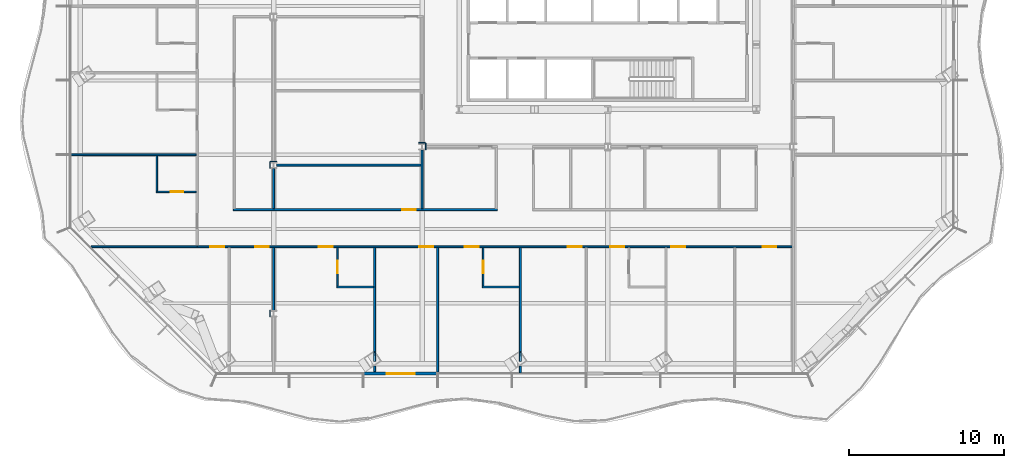
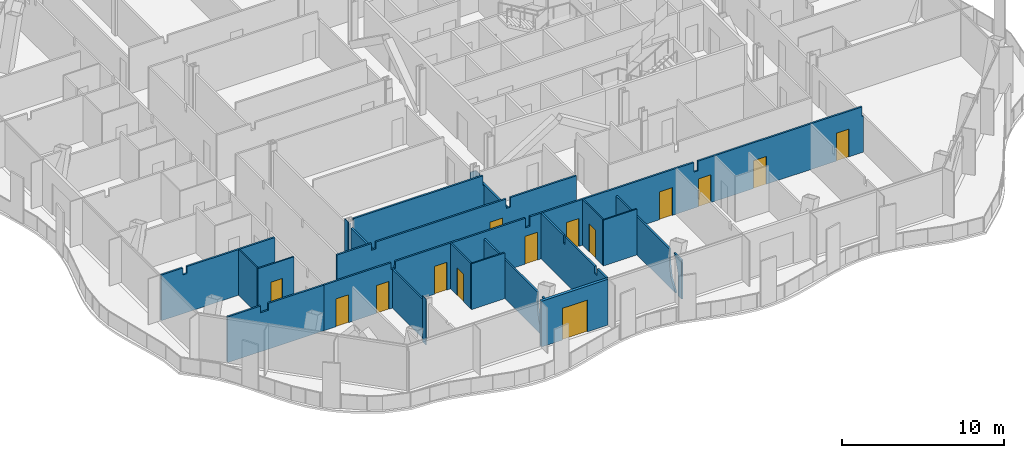
# One storey, part 6 of 17: 25 walls, 14 doors, 14 openings.
"""IFC4 building model written with IfcOpenShell, lengths in metres."""

from ifc_helpers import new_model, si_unit, direction, frame, frame_2d, origin, place, context, subcontext, project, spatial, polyline, rectangle, outline, extrude, material, layer, layer_set, type_object, element, fill, save


model = new_model("IFC4")

# Units and contexts
model_context = context("Model", 3, precision=1e-05, world=origin(), true_north=direction((0.0, 1.0)))
body_context = subcontext(model_context, "Body", "Model", "MODEL_VIEW")
ifc_project = project(units=[si_unit("LENGTHUNIT", "METRE"), si_unit("AREAUNIT", "SQUARE_METRE"), si_unit("VOLUMEUNIT", "CUBIC_METRE"), si_unit("PLANEANGLEUNIT", "RADIAN"), si_unit("MASSUNIT", "GRAM", prefix="KILO")], contexts=[model_context])

# Site, building, storey
site_placement = place(None, origin())
site = spatial("IfcSite", under=ifc_project, at=site_placement, CompositionType="ELEMENT")
building_placement = place(site_placement, origin())
building = spatial("IfcBuilding", under=site, at=building_placement, Name="Cairn Pilgrim Tower", CompositionType="ELEMENT")
storey_placement = place(building_placement, frame((0.0, 0.0, 94.199951171875)))
storey = spatial("IfcBuildingStorey", under=building, at=storey_placement, Name="L22", CompositionType="ELEMENT", Elevation=94.199951171875)

# Wall, opening, door
ifc_material_1 = material(Name="Bronze anodised aluminium insulated sandwich panel with mineral wool fill", Category="aluminium")
ifc_layer_1 = layer(ifc_material_1, 0.199951171875)
ifc_layer_set_1 = layer_set([ifc_layer_1], Name="BRONZE INFILL FRAME WALL 200")
wall_type_1 = type_object("IfcWallType", Name="BRONZE INFILL FRAME WALL 200", PredefinedType="NOTDEFINED", material=ifc_layer_set_1)
wall_1_placement = place(storey_placement, frame((-8.5615234375, -23.07763671875, 0.0), z_axis=(0.0, 0.0, 1.0), x_axis=(1.0, 0.0, 0.0)))
wall_1 = element("IfcWall", 1, at=wall_1_placement, inside=storey, type_object=wall_type_1, Name="Bronze infill frame wall IW-S3", PredefinedType="NOTDEFINED", context=body_context, shape_type="SweptSolid", body=[
    extrude(rectangle(XDim=4.739990234375, YDim=0.199951171875, at=frame_2d((2.3701171875, 0.0))), origin(), (0.0, 0.0, 1.0), 3.449951171875),
])
opening_1_placement = place(wall_1_placement, frame((1.4697265625, 0.0, 0.0)))
opening_1 = element("IfcOpeningElement", 2, at=opening_1_placement, cuts=wall_1, Name="Opening 2204B", PredefinedType="OPENING", context=body_context, shape_type="SweptSolid", body=[
    extrude(rectangle(XDim=1.800048828125, YDim=2.39990234375, at=frame_2d((0.89990234375, 1.199951171875))), frame((0.0, 0.10986328125, 0.0), z_axis=(0.0, -1.0, 0.0), x_axis=(1.0, 0.0, 0.0)), (0.0, 0.0, 1.0), 0.219970703125),
])
ifc_material_2 = material(Name="Bronze anodised aluminium frame with tinted low-E glass", Category="aluminium")
door_type_1 = type_object("IfcDoorType", Name="BALCONY SLIDING DOOR 1800x2400", OperationType="DOUBLE_DOOR_SLIDING", PredefinedType="DOOR", material=ifc_material_2)
door_1_placement = place(opening_1_placement, origin())
door_1 = element("IfcDoor", 3, at=door_1_placement, inside=storey, type_object=door_type_1, Name="Balcony sliding door 2204B", OperationType="SINGLE_SWING_LEFT", OverallHeight=2.39990234375, OverallWidth=1.800048828125, PredefinedType="DOOR", context=body_context, shape_type="SweptSolid", body=[
    extrude(rectangle(XDim=1.800048828125, YDim=2.39990234375, at=frame_2d((0.89990234375, 1.199951171875))), frame((0.0, 0.02490234375, 0.0), z_axis=(0.0, -1.0, 0.0), x_axis=(1.0, 0.0, 0.0)), (0.0, 0.0, 1.0), 0.050048828125),
])
fill(opening_1, door_1)

# Walls
ifc_material_3 = material(Name="Gypsum partition")
ifc_layer_2 = layer(ifc_material_3, 0.10009765625)
ifc_layer_set_2 = layer_set([ifc_layer_2], Name="PARTITION 100 DRYWALL")
wall_type_2 = type_object("IfcWallType", Name="PARTITION 100 DRYWALL", PredefinedType="PARTITIONING", material=ifc_layer_set_2)
wall_2_placement = place(storey_placement, frame((-10.31591796875, -17.47802734375, 0.0), z_axis=(0.0, 0.0, 1.0), x_axis=(1.0, 0.0, 0.0)))
element("IfcWall", 4, at=wall_2_placement, inside=storey, type_object=wall_type_2, Name="PARTITION W015", PredefinedType="PARTITIONING", context=body_context, shape_type="SweptSolid", body=[
    extrude(rectangle(XDim=2.387451171875, YDim=0.10009765625, at=frame_2d((1.19384765625, 0.0))), origin(), (0.0, 0.0, 1.0), 3.449951171875),
])
wall_3_placement = place(storey_placement, frame((-0.902099609375, -17.47802734375, 0.0), z_axis=(0.0, 0.0, 1.0), x_axis=(1.0, 0.0, 0.0)))
element("IfcWall", 5, at=wall_3_placement, inside=storey, type_object=wall_type_2, Name="PARTITION W016", PredefinedType="PARTITIONING", context=body_context, shape_type="SweptSolid", body=[
    extrude(rectangle(XDim=2.3876953125, YDim=0.10009765625, at=frame_2d((1.19384765625, 0.0))), origin(), (0.0, 0.0, 1.0), 3.449951171875),
])

# Wall, opening, door
wall_4_placement = place(storey_placement, frame((-10.26611328125, -17.427978515625, 0.0), z_axis=(0.0, 0.0, 1.0), x_axis=(0.0, 1.0, 0.0)))
wall_4 = element("IfcWall", 6, at=wall_4_placement, inside=storey, type_object=wall_type_2, Name="PARTITION W018", PredefinedType="PARTITIONING", context=body_context, shape_type="SweptSolid", body=[
    extrude(rectangle(XDim=2.487548828125, YDim=0.10009765625, at=frame_2d((1.24365234375, 0.0))), origin(), (0.0, 0.0, 1.0), 3.449951171875),
])
opening_2_placement = place(wall_4_placement, frame((0.85009765625, 0.0, 0.0)))
opening_2 = element("IfcOpeningElement", 7, at=opening_2_placement, cuts=wall_4, Name="Opening 2203E", PredefinedType="OPENING", context=body_context, shape_type="SweptSolid", body=[
    extrude(rectangle(XDim=0.800048828125, YDim=2.10009765625, at=frame_2d((0.39990234375, 1.050048828125))), frame((0.0, 0.06005859375, 0.0), z_axis=(0.0, -1.0, 0.0), x_axis=(1.0, 0.0, 0.0)), (0.0, 0.0, 1.0), 0.1201171875),
])
ifc_material_4 = material(Name="Timber door leaf", Category="wood")
door_type_2 = type_object("IfcDoorType", Name="DOOR 800x2100", OperationType="NOTDEFINED", PredefinedType="DOOR", material=ifc_material_4)
door_2_placement = place(opening_2_placement, frame((0.800048828125, 0.0, 0.0), z_axis=(0.0, 0.0, 1.0), x_axis=(-1.0, 0.0, 0.0)))
door_2 = element("IfcDoor", 8, at=door_2_placement, inside=storey, type_object=door_type_2, Name="DOOR 2203E", OperationType="SINGLE_SWING_LEFT", OverallHeight=2.10009765625, OverallWidth=0.800048828125, PredefinedType="DOOR", context=body_context, shape_type="SweptSolid", body=[
    extrude(rectangle(XDim=0.800048828125, YDim=2.10009765625, at=frame_2d((0.39990234375, 1.050048828125))), frame((0.0, 0.02490234375, 0.0), z_axis=(0.0, -1.0, 0.0), x_axis=(1.0, 0.0, 0.0)), (0.0, 0.0, 1.0), 0.050048828125),
])
fill(opening_2, door_2)

wall_5_placement = place(storey_placement, frame((-0.85205078125, -17.427978515625, 0.0), z_axis=(0.0, 0.0, 1.0), x_axis=(0.0, 1.0, 0.0)))
wall_5 = element("IfcWall", 9, at=wall_5_placement, inside=storey, type_object=wall_type_2, Name="PARTITION W019", PredefinedType="PARTITIONING", context=body_context, shape_type="SweptSolid", body=[
    extrude(rectangle(XDim=2.487548828125, YDim=0.10009765625, at=frame_2d((1.24365234375, 0.0))), origin(), (0.0, 0.0, 1.0), 3.449951171875),
])
opening_3_placement = place(wall_5_placement, frame((0.85009765625, 0.0, 0.0)))
opening_3 = element("IfcOpeningElement", 10, at=opening_3_placement, cuts=wall_5, Name="Opening 2205E", PredefinedType="OPENING", context=body_context, shape_type="SweptSolid", body=[
    extrude(rectangle(XDim=0.800048828125, YDim=2.10009765625, at=frame_2d((0.39990234375, 1.050048828125))), frame((0.0, 0.06005859375, 0.0), z_axis=(0.0, -1.0, 0.0), x_axis=(1.0, 0.0, 0.0)), (0.0, 0.0, 1.0), 0.1201171875),
])
door_3_placement = place(opening_3_placement, frame((0.800048828125, 0.0, 0.0), z_axis=(0.0, 0.0, 1.0), x_axis=(-1.0, 0.0, 0.0)))
door_3 = element("IfcDoor", 11, at=door_3_placement, inside=storey, type_object=door_type_2, Name="DOOR 2205E", OperationType="SINGLE_SWING_RIGHT", OverallHeight=2.10009765625, OverallWidth=0.800048828125, PredefinedType="DOOR", context=body_context, shape_type="SweptSolid", body=[
    extrude(rectangle(XDim=0.800048828125, YDim=2.10009765625, at=frame_2d((0.39990234375, 1.050048828125))), frame((0.0, 0.02490234375, 0.0), z_axis=(0.0, -1.0, 0.0), x_axis=(1.0, 0.0, 0.0)), (0.0, 0.0, 1.0), 0.050048828125),
])
fill(opening_3, door_3)

wall_6_placement = place(storey_placement, frame((-21.991943359375, -11.327880859375, 0.0), z_axis=(0.0, 0.0, 1.0), x_axis=(1.0, 0.0, 0.0)))
wall_6 = element("IfcWall", 12, at=wall_6_placement, inside=storey, type_object=wall_type_2, Name="PARTITION W036", PredefinedType="PARTITIONING", context=body_context, shape_type="SweptSolid", body=[
    extrude(rectangle(XDim=2.58740234375, YDim=0.10009765625, at=frame_2d((1.293701171875, 0.0))), origin(), (0.0, 0.0, 1.0), 3.449951171875),
])
opening_4_placement = place(wall_6_placement, frame((0.949951171875, 0.0, 0.0)))
opening_4 = element("IfcOpeningElement", 13, at=opening_4_placement, cuts=wall_6, Name="Opening 2210E", PredefinedType="OPENING", context=body_context, shape_type="SweptSolid", body=[
    extrude(rectangle(XDim=0.800048828125, YDim=2.10009765625, at=frame_2d((0.39990234375, 1.050048828125))), frame((0.0, 0.06005859375, 0.0), z_axis=(0.0, -1.0, 0.0), x_axis=(1.0, 0.0, 0.0)), (0.0, 0.0, 1.0), 0.1201171875),
])
door_4_placement = place(opening_4_placement, origin())
door_4 = element("IfcDoor", 14, at=door_4_placement, inside=storey, type_object=door_type_2, Name="DOOR 2210E", OperationType="SINGLE_SWING_LEFT", OverallHeight=2.10009765625, OverallWidth=0.800048828125, PredefinedType="DOOR", context=body_context, shape_type="SweptSolid", body=[
    extrude(rectangle(XDim=0.800048828125, YDim=2.10009765625, at=frame_2d((0.39990234375, 1.050048828125))), frame((0.0, 0.02490234375, 0.0), z_axis=(0.0, -1.0, 0.0), x_axis=(1.0, 0.0, 0.0)), (0.0, 0.0, 1.0), 0.050048828125),
])
fill(opening_4, door_4)

# Walls
wall_7_placement = place(storey_placement, frame((-21.94189453125, -11.278076171875, 0.0), z_axis=(0.0, 0.0, 1.0), x_axis=(0.0, 1.0, 0.0)))
element("IfcWall", 15, at=wall_7_placement, inside=storey, type_object=wall_type_2, Name="PARTITION W037", PredefinedType="PARTITIONING", context=body_context, shape_type="SweptSolid", body=[
    extrude(rectangle(XDim=2.28759765625, YDim=0.10009765625, at=frame_2d((1.143798828125, 0.0))), origin(), (0.0, 0.0, 1.0), 3.449951171875),
])
ifc_layer_3 = layer(ifc_material_3, 0.125)
ifc_layer_set_3 = layer_set([ifc_layer_3], Name="PARTITION 125 DRYWALL EI 60")
wall_type_3 = type_object("IfcWallType", Name="PARTITION 125 DRYWALL EI 60", PredefinedType="PARTITIONING", material=ifc_layer_set_3)
wall_8_placement = place(storey_placement, frame((-3.7919921875, -22.977783203125, 0.0), z_axis=(0.0, 0.0, 1.0), x_axis=(0.0, 1.0, 0.0)))
element("IfcWall", 16, at=wall_8_placement, inside=storey, type_object=wall_type_3, Name="PARTITION W003", PredefinedType="PARTITIONING", context=body_context, shape_type="SweptSolid", body=[
    extrude(outline(polyline([(0.0, 0.0), (8.037353515625, 0.0), (8.037109375, 3.449951171875), (5.274169921875, 3.449951171875), (5.272216796875, 2.880126953125), (5.064208984375, 2.880126953125), (5.06201171875, 3.449951171875), (1.419189453125, 3.449951171875), (1.4169921875, 2.929931640625), (1.119140625, 2.929931640625), (1.1171875, 3.449951171875), (0.0, 3.449951171875), (0.0, 0.0)])), frame((0.0, 0.0625, 0.0), z_axis=(0.0, -1.0, 0.0), x_axis=(1.0, 0.0, 0.0)), (0.0, 0.0, 1.0), 0.125),
])
wall_9_placement = place(storey_placement, frame((1.548095703125, -23.03076171875, 0.0), z_axis=(0.0, 0.0, 1.0), x_axis=(0.0, 1.0, 0.0)))
element("IfcWall", 17, at=wall_9_placement, inside=storey, type_object=wall_type_3, Name="PARTITION W004", PredefinedType="PARTITIONING", context=body_context, shape_type="SweptSolid", body=[
    extrude(outline(polyline([(0.0, 0.0), (0.4404296875, 0.0), (0.4404296875, 0.862548828125), (0.4404296875, 1.72509765625), (0.710693359375, 2.587646484375), (0.93310546875, 2.929931640625), (0.0, 2.929931640625), (0.0, 2.587646484375), (0.0, 1.72509765625), (0.0, 0.862548828125), (0.0, 0.0)])), frame((0.0, 0.0625, 0.0), z_axis=(0.0, -1.0, 0.0), x_axis=(1.0, 0.0, 0.0)), (0.0, 0.0, 1.0), 0.125),
])
wall_10_placement = place(storey_placement, frame((-7.865966796875, -22.94775390625, 0.0), z_axis=(0.0, 0.0, 1.0), x_axis=(0.0, 1.0, 0.0)))
element("IfcWall", 18, at=wall_10_placement, inside=storey, type_object=wall_type_3, Name="PARTITION W009", PredefinedType="PARTITIONING", context=body_context, shape_type="SweptSolid", body=[
    extrude(outline(polyline([(0.0, 0.0), (0.357177734375, 0.0), (0.357177734375, 0.862548828125), (0.357177734375, 1.72509765625), (0.628173828125, 2.587646484375), (0.8505859375, 2.929931640625), (0.0, 2.929931640625), (0.0, 2.587646484375), (0.0, 1.72509765625), (0.0, 0.862548828125), (0.0, 0.0)])), frame((0.0, 0.0625, 0.0), z_axis=(0.0, -1.0, 0.0), x_axis=(1.0, 0.0, 0.0)), (0.0, 0.0, 1.0), 0.125),
])
wall_11_placement = place(storey_placement, frame((-7.865966796875, -22.27880859375, 0.0), z_axis=(0.0, 0.0, 1.0), x_axis=(0.0, 1.0, 0.0)))
element("IfcWall", 19, at=wall_11_placement, inside=storey, type_object=wall_type_3, Name="PARTITION W011", PredefinedType="PARTITIONING", context=body_context, shape_type="SweptSolid", body=[
    extrude(outline(polyline([(0.0, 0.0), (7.33837890625, 0.0), (7.33837890625, 0.862548828125), (7.33837890625, 1.72509765625), (7.33837890625, 2.587646484375), (7.33837890625, 2.929931640625), (0.733154296875, 2.929931640625), (0.733154296875, 2.587646484375), (0.733154296875, 1.72509765625), (0.56005859375, 0.862548828125), (0.0, 0.0)])), frame((0.0, 0.0625, 0.0), z_axis=(0.0, -1.0, 0.0), x_axis=(1.0, 0.0, 0.0)), (0.0, 0.0, 1.0), 0.125),
])
wall_12_placement = place(storey_placement, frame((1.548095703125, -22.279541015625, 0.0), z_axis=(0.0, 0.0, 1.0), x_axis=(0.0, 1.0, 0.0)))
element("IfcWall", 20, at=wall_12_placement, inside=storey, type_object=wall_type_3, Name="PARTITION W012", PredefinedType="PARTITIONING", context=body_context, shape_type="SweptSolid", body=[
    extrude(outline(polyline([(0.0, 0.0), (7.339111328125, 0.0), (7.339111328125, 0.862548828125), (7.339111328125, 1.72509765625), (7.339111328125, 2.587646484375), (7.339111328125, 2.880126953125), (0.73388671875, 2.880126953125), (0.73388671875, 2.587646484375), (0.73388671875, 1.72509765625), (0.56005859375, 0.862548828125), (0.0, 0.0)])), frame((0.0, 0.0625, 0.0), z_axis=(0.0, -1.0, 0.0), x_axis=(1.0, 0.0, 0.0)), (0.0, 0.0, 1.0), 0.125),
])
wall_13_placement = place(storey_placement, frame((-14.39990234375, -18.987548828125, 0.0), z_axis=(0.0, 0.0, 1.0), x_axis=(0.0, 1.0, 0.0)))
element("IfcWall", 21, at=wall_13_placement, inside=storey, type_object=wall_type_3, Name="PARTITION W014", PredefinedType="PARTITIONING", context=body_context, shape_type="SweptSolid", body=[
    extrude(rectangle(XDim=4.047119140625, YDim=0.125, at=frame_2d((2.0234375, 0.0))), origin(), (0.0, 0.0, 1.0), 2.929931640625),
])
wall_14_placement = place(storey_placement, frame((-26.1982421875, -14.8779296875, 0.0), z_axis=(0.0, 0.0, 1.0), x_axis=(1.0, 0.0, 0.0)))
element("IfcWall", 22, at=wall_14_placement, inside=storey, type_object=wall_type_3, Name="PARTITION W021", PredefinedType="PARTITIONING", context=body_context, shape_type="SweptSolid", body=[
    extrude(outline(polyline([(0.0, 0.0), (6.856201171875, 0.0), (6.856201171875, 3.449951171875), (2.902099609375, 3.449951171875), (2.900146484375, 2.929931640625), (2.352783203125, 2.929931640625), (2.350830078125, 3.449951171875), (0.0, 3.449951171875), (0.0, 0.0)])), frame((0.0, 0.0625, 0.0), z_axis=(0.0, -1.0, 0.0), x_axis=(1.0, 0.0, 0.0)), (0.0, 0.0, 1.0), 0.125),
])

# Wall, openings, doors
wall_15_placement = place(storey_placement, frame((-19.342041015625, -14.8779296875, 0.0), z_axis=(0.0, 0.0, 1.0), x_axis=(1.0, 0.0, 0.0)))
wall_15 = element("IfcWall", 23, at=wall_15_placement, inside=storey, type_object=wall_type_3, Name="PARTITION W022", PredefinedType="PARTITIONING", context=body_context, shape_type="SweptSolid", body=[
    extrude(outline(polyline([(0.0, 0.0), (38.4794921875, 0.0), (38.4794921875, 2.72998046875), (38.39208984375, 2.72998046875), (38.389892578125, 3.449951171875), (26.69189453125, 3.449951171875), (26.68994140625, 2.72998046875), (26.39208984375, 2.72998046875), (26.389892578125, 3.449951171875), (14.69189453125, 3.449951171875), (14.68994140625, 2.72998046875), (14.39208984375, 2.72998046875), (14.389892578125, 3.449951171875), (5.092041015625, 3.449951171875), (5.090087890625, 2.929931640625), (4.7919921875, 2.929931640625), (4.7900390625, 3.449951171875), (0.0, 3.449951171875), (0.0, 0.0)])), frame((0.0, 0.0625, 0.0), z_axis=(0.0, -1.0, 0.0), x_axis=(1.0, 0.0, 0.0)), (0.0, 0.0, 1.0), 0.125),
])
opening_5_placement = place(wall_15_placement, frame((0.863037109375, 0.0, 0.0)))
opening_5 = element("IfcOpeningElement", 24, at=opening_5_placement, cuts=wall_15, Name="Opening 2201", PredefinedType="OPENING", context=body_context, shape_type="SweptSolid", body=[
    extrude(rectangle(XDim=0.89990234375, YDim=2.10009765625, at=frame_2d((0.449951171875, 1.050048828125))), frame((0.0, 0.072509765625, 0.0), z_axis=(0.0, -1.0, 0.0), x_axis=(1.0, 0.0, 0.0)), (0.0, 0.0, 1.0), 0.14501953125),
])
opening_6_placement = place(wall_15_placement, frame((3.741943359375, 0.0, 0.0)))
opening_6 = element("IfcOpeningElement", 25, at=opening_6_placement, cuts=wall_15, Name="Opening 2202", PredefinedType="OPENING", context=body_context, shape_type="SweptSolid", body=[
    extrude(rectangle(XDim=0.89990234375, YDim=2.10009765625, at=frame_2d((0.449951171875, 1.050048828125))), frame((0.0, 0.072509765625, 0.0), z_axis=(0.0, -1.0, 0.0), x_axis=(1.0, 0.0, 0.0)), (0.0, 0.0, 1.0), 0.14501953125),
])
opening_7_placement = place(wall_15_placement, frame((7.8759765625, 0.0, 0.0)))
opening_7 = element("IfcOpeningElement", 26, at=opening_7_placement, cuts=wall_15, Name="Opening 2203", PredefinedType="OPENING", context=body_context, shape_type="SweptSolid", body=[
    extrude(rectangle(XDim=0.89990234375, YDim=2.10009765625, at=frame_2d((0.449951171875, 1.050048828125))), frame((0.0, 0.072509765625, 0.0), z_axis=(0.0, -1.0, 0.0), x_axis=(1.0, 0.0, 0.0)), (0.0, 0.0, 1.0), 0.14501953125),
])
opening_8_placement = place(wall_15_placement, frame((14.35009765625, 0.0, 0.0)))
opening_8 = element("IfcOpeningElement", 27, at=opening_8_placement, cuts=wall_15, Name="Opening 2204", PredefinedType="OPENING", context=body_context, shape_type="SweptSolid", body=[
    extrude(rectangle(XDim=0.89990234375, YDim=2.10009765625, at=frame_2d((0.449951171875, 1.050048828125))), frame((0.0, 0.072509765625, 0.0), z_axis=(0.0, -1.0, 0.0), x_axis=(1.0, 0.0, 0.0)), (0.0, 0.0, 1.0), 0.14501953125),
])
opening_9_placement = place(wall_15_placement, frame((17.2900390625, 0.0, 0.0)))
opening_9 = element("IfcOpeningElement", 28, at=opening_9_placement, cuts=wall_15, Name="Opening 2205", PredefinedType="OPENING", context=body_context, shape_type="SweptSolid", body=[
    extrude(rectangle(XDim=0.89990234375, YDim=2.10009765625, at=frame_2d((0.449951171875, 1.050048828125))), frame((0.0, 0.072509765625, 0.0), z_axis=(0.0, -1.0, 0.0), x_axis=(1.0, 0.0, 0.0)), (0.0, 0.0, 1.0), 0.14501953125),
])
opening_10_placement = place(wall_15_placement, frame((23.949951171875, 0.0, 0.0)))
opening_10 = element("IfcOpeningElement", 29, at=opening_10_placement, cuts=wall_15, Name="Opening 2206", PredefinedType="OPENING", context=body_context, shape_type="SweptSolid", body=[
    extrude(rectangle(XDim=0.89990234375, YDim=2.10009765625, at=frame_2d((0.449951171875, 1.050048828125))), frame((0.0, 0.072509765625, 0.0), z_axis=(0.0, -1.0, 0.0), x_axis=(1.0, 0.0, 0.0)), (0.0, 0.0, 1.0), 0.14501953125),
])
opening_11_placement = place(wall_15_placement, frame((26.702880859375, 0.0, 0.0)))
opening_11 = element("IfcOpeningElement", 30, at=opening_11_placement, cuts=wall_15, Name="Opening 2207", PredefinedType="OPENING", context=body_context, shape_type="SweptSolid", body=[
    extrude(rectangle(XDim=0.89990234375, YDim=2.10009765625, at=frame_2d((0.449951171875, 1.050048828125))), frame((0.0, 0.072509765625, 0.0), z_axis=(0.0, -1.0, 0.0), x_axis=(1.0, 0.0, 0.0)), (0.0, 0.0, 1.0), 0.14501953125),
])
opening_12_placement = place(wall_15_placement, frame((30.64990234375, 0.0, 0.0)))
opening_12 = element("IfcOpeningElement", 31, at=opening_12_placement, cuts=wall_15, Name="Opening 2208", PredefinedType="OPENING", context=body_context, shape_type="SweptSolid", body=[
    extrude(rectangle(XDim=0.89990234375, YDim=2.10009765625, at=frame_2d((0.449951171875, 1.050048828125))), frame((0.0, 0.072509765625, 0.0), z_axis=(0.0, -1.0, 0.0), x_axis=(1.0, 0.0, 0.0)), (0.0, 0.0, 1.0), 0.14501953125),
])
opening_13_placement = place(wall_15_placement, frame((36.5419921875, 0.0, 0.0)))
opening_13 = element("IfcOpeningElement", 32, at=opening_13_placement, cuts=wall_15, Name="Opening 2209", PredefinedType="OPENING", context=body_context, shape_type="SweptSolid", body=[
    extrude(rectangle(XDim=0.89990234375, YDim=2.10009765625, at=frame_2d((0.449951171875, 1.050048828125))), frame((0.0, 0.072509765625, 0.0), z_axis=(0.0, -1.0, 0.0), x_axis=(1.0, 0.0, 0.0)), (0.0, 0.0, 1.0), 0.14501953125),
])
ifc_material_5 = material(Name="Steel-faced fire door leaf", Category="steel")
door_type_3 = type_object("IfcDoorType", Name="FIRE DOOR 900x2100 FD30S", OperationType="NOTDEFINED", PredefinedType="DOOR", material=ifc_material_5)
door_5_placement = place(opening_5_placement, frame((0.89990234375, 0.0, 0.0), z_axis=(0.0, 0.0, 1.0), x_axis=(-1.0, 0.0, 0.0)))
door_5 = element("IfcDoor", 33, at=door_5_placement, inside=storey, type_object=door_type_3, Name="DOOR 2201", OperationType="SINGLE_SWING_RIGHT", OverallHeight=2.10009765625, OverallWidth=0.89990234375, PredefinedType="DOOR", context=body_context, shape_type="SweptSolid", body=[
    extrude(rectangle(XDim=0.89990234375, YDim=2.10009765625, at=frame_2d((0.449951171875, 1.050048828125))), frame((0.0, 0.02490234375, 0.0), z_axis=(0.0, -1.0, 0.0), x_axis=(1.0, 0.0, 0.0)), (0.0, 0.0, 1.0), 0.050048828125),
])
fill(opening_5, door_5)
door_6_placement = place(opening_6_placement, frame((0.89990234375, 0.0, 0.0), z_axis=(0.0, 0.0, 1.0), x_axis=(-1.0, 0.0, 0.0)))
door_6 = element("IfcDoor", 34, at=door_6_placement, inside=storey, type_object=door_type_3, Name="DOOR 2202", OperationType="SINGLE_SWING_LEFT", OverallHeight=2.10009765625, OverallWidth=0.89990234375, PredefinedType="DOOR", context=body_context, shape_type="SweptSolid", body=[
    extrude(rectangle(XDim=0.89990234375, YDim=2.10009765625, at=frame_2d((0.449951171875, 1.050048828125))), frame((0.0, 0.02490234375, 0.0), z_axis=(0.0, -1.0, 0.0), x_axis=(1.0, 0.0, 0.0)), (0.0, 0.0, 1.0), 0.050048828125),
])
fill(opening_6, door_6)
door_7_placement = place(opening_7_placement, frame((0.89990234375, 0.0, 0.0), z_axis=(0.0, 0.0, 1.0), x_axis=(-1.0, 0.0, 0.0)))
door_7 = element("IfcDoor", 35, at=door_7_placement, inside=storey, type_object=door_type_3, Name="DOOR 2203", OperationType="SINGLE_SWING_RIGHT", OverallHeight=2.10009765625, OverallWidth=0.89990234375, PredefinedType="DOOR", context=body_context, shape_type="SweptSolid", body=[
    extrude(rectangle(XDim=0.89990234375, YDim=2.10009765625, at=frame_2d((0.449951171875, 1.050048828125))), frame((0.0, 0.02490234375, 0.0), z_axis=(0.0, -1.0, 0.0), x_axis=(1.0, 0.0, 0.0)), (0.0, 0.0, 1.0), 0.050048828125),
])
fill(opening_7, door_7)
door_8_placement = place(opening_8_placement, frame((0.89990234375, 0.0, 0.0), z_axis=(0.0, 0.0, 1.0), x_axis=(-1.0, 0.0, 0.0)))
door_8 = element("IfcDoor", 36, at=door_8_placement, inside=storey, type_object=door_type_3, Name="DOOR 2204", OperationType="SINGLE_SWING_RIGHT", OverallHeight=2.10009765625, OverallWidth=0.89990234375, PredefinedType="DOOR", context=body_context, shape_type="SweptSolid", body=[
    extrude(rectangle(XDim=0.89990234375, YDim=2.10009765625, at=frame_2d((0.449951171875, 1.050048828125))), frame((0.0, 0.02490234375, 0.0), z_axis=(0.0, -1.0, 0.0), x_axis=(1.0, 0.0, 0.0)), (0.0, 0.0, 1.0), 0.050048828125),
])
fill(opening_8, door_8)
door_9_placement = place(opening_9_placement, frame((0.89990234375, 0.0, 0.0), z_axis=(0.0, 0.0, 1.0), x_axis=(-1.0, 0.0, 0.0)))
door_9 = element("IfcDoor", 37, at=door_9_placement, inside=storey, type_object=door_type_3, Name="DOOR 2205", OperationType="SINGLE_SWING_LEFT", OverallHeight=2.10009765625, OverallWidth=0.89990234375, PredefinedType="DOOR", context=body_context, shape_type="SweptSolid", body=[
    extrude(rectangle(XDim=0.89990234375, YDim=2.10009765625, at=frame_2d((0.449951171875, 1.050048828125))), frame((0.0, 0.02490234375, 0.0), z_axis=(0.0, -1.0, 0.0), x_axis=(1.0, 0.0, 0.0)), (0.0, 0.0, 1.0), 0.050048828125),
])
fill(opening_9, door_9)
door_10_placement = place(opening_10_placement, frame((0.89990234375, 0.0, 0.0), z_axis=(0.0, 0.0, 1.0), x_axis=(-1.0, 0.0, 0.0)))
door_10 = element("IfcDoor", 38, at=door_10_placement, inside=storey, type_object=door_type_3, Name="DOOR 2206", OperationType="SINGLE_SWING_LEFT", OverallHeight=2.10009765625, OverallWidth=0.89990234375, PredefinedType="DOOR", context=body_context, shape_type="SweptSolid", body=[
    extrude(rectangle(XDim=0.89990234375, YDim=2.10009765625, at=frame_2d((0.449951171875, 1.050048828125))), frame((0.0, 0.02490234375, 0.0), z_axis=(0.0, -1.0, 0.0), x_axis=(1.0, 0.0, 0.0)), (0.0, 0.0, 1.0), 0.050048828125),
])
fill(opening_10, door_10)
door_11_placement = place(opening_11_placement, frame((0.89990234375, 0.0, 0.0), z_axis=(0.0, 0.0, 1.0), x_axis=(-1.0, 0.0, 0.0)))
door_11 = element("IfcDoor", 39, at=door_11_placement, inside=storey, type_object=door_type_3, Name="DOOR 2207", OperationType="SINGLE_SWING_RIGHT", OverallHeight=2.10009765625, OverallWidth=0.89990234375, PredefinedType="DOOR", context=body_context, shape_type="SweptSolid", body=[
    extrude(rectangle(XDim=0.89990234375, YDim=2.10009765625, at=frame_2d((0.449951171875, 1.050048828125))), frame((0.0, 0.02490234375, 0.0), z_axis=(0.0, -1.0, 0.0), x_axis=(1.0, 0.0, 0.0)), (0.0, 0.0, 1.0), 0.050048828125),
])
fill(opening_11, door_11)
door_12_placement = place(opening_12_placement, frame((0.89990234375, 0.0, 0.0), z_axis=(0.0, 0.0, 1.0), x_axis=(-1.0, 0.0, 0.0)))
door_12 = element("IfcDoor", 40, at=door_12_placement, inside=storey, type_object=door_type_3, Name="DOOR 2208", OperationType="SINGLE_SWING_RIGHT", OverallHeight=2.10009765625, OverallWidth=0.89990234375, PredefinedType="DOOR", context=body_context, shape_type="SweptSolid", body=[
    extrude(rectangle(XDim=0.89990234375, YDim=2.10009765625, at=frame_2d((0.449951171875, 1.050048828125))), frame((0.0, 0.02490234375, 0.0), z_axis=(0.0, -1.0, 0.0), x_axis=(1.0, 0.0, 0.0)), (0.0, 0.0, 1.0), 0.050048828125),
])
fill(opening_12, door_12)
door_13_placement = place(opening_13_placement, frame((0.89990234375, 0.0, 0.0), z_axis=(0.0, 0.0, 1.0), x_axis=(-1.0, 0.0, 0.0)))
door_13 = element("IfcDoor", 41, at=door_13_placement, inside=storey, type_object=door_type_3, Name="DOOR 2209", OperationType="SINGLE_SWING_LEFT", OverallHeight=2.10009765625, OverallWidth=0.89990234375, PredefinedType="DOOR", context=body_context, shape_type="SweptSolid", body=[
    extrude(rectangle(XDim=0.89990234375, YDim=2.10009765625, at=frame_2d((0.449951171875, 1.050048828125))), frame((0.0, 0.02490234375, 0.0), z_axis=(0.0, -1.0, 0.0), x_axis=(1.0, 0.0, 0.0)), (0.0, 0.0, 1.0), 0.050048828125),
])
fill(opening_13, door_13)

# Wall, opening, door
wall_16_placement = place(storey_placement, frame((-17.00439453125, -12.47802734375, 0.0), z_axis=(0.0, 0.0, 1.0), x_axis=(1.0, 0.0, 0.0)))
wall_16 = element("IfcWall", 42, at=wall_16_placement, inside=storey, type_object=wall_type_3, Name="PARTITION W025", PredefinedType="PARTITIONING", context=body_context, shape_type="SweptSolid", body=[
    extrude(outline(polyline([(0.0, 0.0), (17.06689453125, 0.0), (17.06689453125, 3.449951171875), (12.3544921875, 3.449951171875), (12.3525390625, 2.72998046875), (12.054443359375, 2.72998046875), (12.052490234375, 3.449951171875), (2.75439453125, 3.449951171875), (2.75244140625, 2.929931640625), (2.45458984375, 2.929931640625), (2.452392578125, 3.449951171875), (0.0, 3.449951171875), (0.0, 0.0)])), frame((0.0, 0.0625, 0.0), z_axis=(0.0, -1.0, 0.0), x_axis=(1.0, 0.0, 0.0)), (0.0, 0.0, 1.0), 0.125),
])
opening_14_placement = place(wall_16_placement, frame((10.904541015625, 0.0, 0.0)))
opening_14 = element("IfcOpeningElement", 43, at=opening_14_placement, cuts=wall_16, Name="Opening 2229", PredefinedType="OPENING", context=body_context, shape_type="SweptSolid", body=[
    extrude(rectangle(XDim=0.89990234375, YDim=2.10009765625, at=frame_2d((0.449951171875, 1.050048828125))), frame((0.0, 0.072509765625, 0.0), z_axis=(0.0, -1.0, 0.0), x_axis=(1.0, 0.0, 0.0)), (0.0, 0.0, 1.0), 0.14501953125),
])
door_14_placement = place(opening_14_placement, origin())
door_14 = element("IfcDoor", 44, at=door_14_placement, inside=storey, type_object=door_type_3, Name="DOOR 2229", OperationType="SINGLE_SWING_RIGHT", OverallHeight=2.10009765625, OverallWidth=0.89990234375, PredefinedType="DOOR", context=body_context, shape_type="SweptSolid", body=[
    extrude(rectangle(XDim=0.89990234375, YDim=2.10009765625, at=frame_2d((0.449951171875, 1.050048828125))), frame((0.0, 0.02490234375, 0.0), z_axis=(0.0, -1.0, 0.0), x_axis=(1.0, 0.0, 0.0)), (0.0, 0.0, 1.0), 0.050048828125),
])
fill(opening_14, door_14)

# Walls
wall_17_placement = place(storey_placement, frame((-14.39990234375, -12.41552734375, 0.0), z_axis=(0.0, 0.0, 1.0), x_axis=(0.0, 1.0, 0.0)))
element("IfcWall", 45, at=wall_17_placement, inside=storey, type_object=wall_type_3, Name="PARTITION W028", PredefinedType="PARTITIONING", context=body_context, shape_type="SweptSolid", body=[
    extrude(rectangle(XDim=2.60302734375, YDim=0.125, at=frame_2d((1.301513671875, 0.0))), origin(), (0.0, 0.0, 1.0), 2.929931640625),
])
wall_18_placement = place(storey_placement, frame((-4.800048828125, -12.41552734375, 0.0), z_axis=(0.0, 0.0, 1.0), x_axis=(0.0, 1.0, 0.0)))
element("IfcWall", 46, at=wall_18_placement, inside=storey, type_object=wall_type_3, Name="PARTITION W029", PredefinedType="PARTITIONING", context=body_context, shape_type="SweptSolid", body=[
    extrude(rectangle(XDim=3.802978515625, YDim=0.125, at=frame_2d((1.9013671875, 0.0))), origin(), (0.0, 0.0, 1.0), 2.72998046875),
])
wall_19_placement = place(storey_placement, frame((-14.195556640625, -9.60009765625, 0.0), z_axis=(0.0, 0.0, 1.0), x_axis=(1.0, 0.0, 0.0)))
element("IfcWall", 47, at=wall_19_placement, inside=storey, type_object=wall_type_3, Name="PARTITION W038", PredefinedType="PARTITIONING", context=body_context, shape_type="SweptSolid", body=[
    extrude(outline(polyline([(0.0, 0.0), (9.3330078125, 0.0), (9.3330078125, 2.72998046875), (9.24560546875, 2.72998046875), (9.243408203125, 3.449951171875), (0.0, 3.449951171875), (0.0, 0.0)])), frame((0.0, 0.0625, 0.0), z_axis=(0.0, -1.0, 0.0), x_axis=(1.0, 0.0, 0.0)), (0.0, 0.0, 1.0), 0.125),
])
wall_20_placement = place(storey_placement, frame((-27.481689453125, -8.927978515625, 0.0), z_axis=(0.0, 0.0, 1.0), x_axis=(1.0, 0.0, 0.0)))
element("IfcWall", 48, at=wall_20_placement, inside=storey, type_object=wall_type_3, Name="PARTITION W040", PredefinedType="PARTITIONING", context=body_context, shape_type="SweptSolid", body=[
    extrude(outline(polyline([(0.0, 0.0), (8.0771484375, 0.0), (8.0771484375, 3.449951171875), (1.818603515625, 3.449951171875), (1.816650390625, 2.929931640625), (1.518798828125, 2.929931640625), (1.5166015625, 3.449951171875), (0.0, 3.449951171875), (0.0, 0.0)])), frame((0.0, 0.0625, 0.0), z_axis=(0.0, -1.0, 0.0), x_axis=(1.0, 0.0, 0.0)), (0.0, 0.0, 1.0), 0.125),
])
ifc_layer_4 = layer(ifc_material_3, 0.050048828125)
ifc_layer_set_4 = layer_set([ifc_layer_4], Name="PARTITION 50 DRYWALL EI 60")
wall_type_4 = type_object("IfcWallType", Name="PARTITION 50 DRYWALL EI 60", PredefinedType="PARTITIONING", material=ifc_layer_set_4)
for number, where, z_axis, x_axis, name in (
    (49, (-14.62939453125, -19.41259765625, 0.0), (0.0, 0.0, 1.0), (0.0, 1.0, 0.0), "COLUMN CASING WC01"),
    (50, (-14.62939453125, -9.8125, 0.0), (0.0, 0.0, 1.0), (0.0, 1.0, 0.0), "COLUMN CASING WC05"),
):
    element("IfcWall", number, at=place(storey_placement, frame(where, z_axis=z_axis, x_axis=x_axis)), inside=storey, type_object=wall_type_4, Name=name, PredefinedType="PARTITIONING", context=body_context, shape_type="SweptSolid", body=[
        extrude(rectangle(XDim=0.425048828125, YDim=0.050048828125, at=frame_2d((0.21240234375, 0.0))), origin(), (0.0, 0.0, 1.0), 3.449951171875),
    ])
wall_21_placement = place(storey_placement, frame((-4.570556640625, -8.612548828125, 0.0), z_axis=(0.0, 0.0, 1.0), x_axis=(0.0, 1.0, 0.0)))
element("IfcWall", 51, at=wall_21_placement, inside=storey, type_object=wall_type_4, Name="COLUMN CASING WC07", PredefinedType="PARTITIONING", context=body_context, shape_type="SweptSolid", body=[
    extrude(rectangle(XDim=0.425048828125, YDim=0.050048828125, at=frame_2d((0.21240234375, 0.0))), origin(), (0.0, 0.0, 1.0), 2.830078125),
])
wall_22_placement = place(storey_placement, frame((-14.6044921875, -9.362548828125, 0.0), z_axis=(0.0, 0.0, 1.0), x_axis=(1.0, 0.0, 0.0)))
element("IfcWall", 52, at=wall_22_placement, inside=storey, type_object=wall_type_4, Name="COLUMN CASING WC08", PredefinedType="PARTITIONING", context=body_context, shape_type="SweptSolid", body=[
    extrude(rectangle(XDim=0.408935546875, YDim=0.050048828125, at=frame_2d((0.20458984375, 0.0))), origin(), (0.0, 0.0, 1.0), 2.929931640625),
])
wall_23_placement = place(storey_placement, frame((-5.00439453125, -8.16259765625, 0.0), z_axis=(0.0, 0.0, 1.0), x_axis=(1.0, 0.0, 0.0)))
element("IfcWall", 53, at=wall_23_placement, inside=storey, type_object=wall_type_4, Name="COLUMN CASING WC09", PredefinedType="PARTITIONING", context=body_context, shape_type="SweptSolid", body=[
    extrude(rectangle(XDim=0.408935546875, YDim=0.050048828125, at=frame_2d((0.20458984375, 0.0))), origin(), (0.0, 0.0, 1.0), 2.830078125),
])

save(model, "model.ifc")
